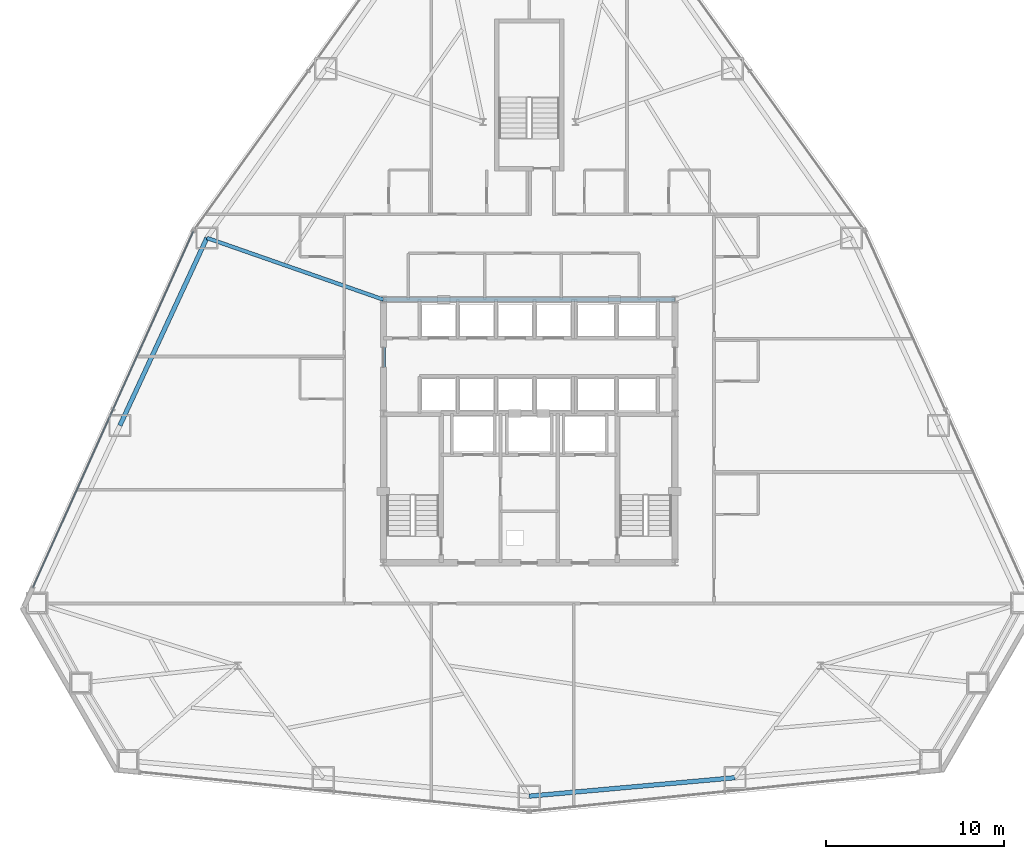
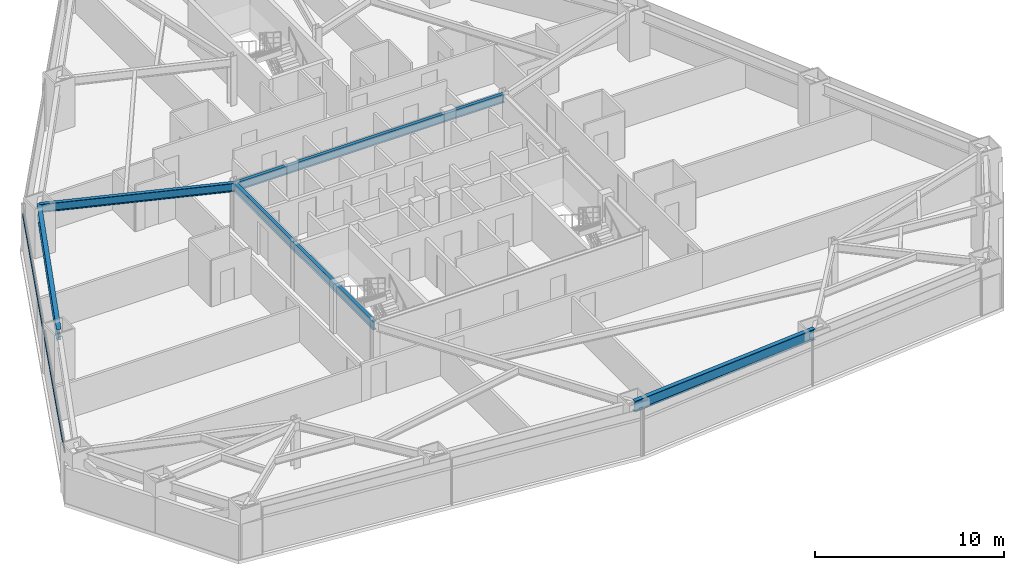
# One storey, part 5 of 12: 5 beams, 1 member, 1 element without a shape of its own.
"""IFC4 building model written with IfcOpenShell, lengths in metres."""

from ifc_helpers import new_model, si_unit, direction, frame, origin, origin_2d, place, context, subcontext, project, spatial, rectangle, i_section, extrude, source, transform, mapped, material, layer, layer_set, material_profile, profile_set, type_object, type_shapes, element, aggregate, save


model = new_model("IFC4")

# Units and contexts
model_context = context("Model", 3, precision=1e-05, world=origin(), true_north=direction((0.0, 1.0)))
body_context = subcontext(model_context, "Body", "Model", "MODEL_VIEW")
ifc_project = project(units=[si_unit("LENGTHUNIT", "METRE"), si_unit("AREAUNIT", "SQUARE_METRE"), si_unit("VOLUMEUNIT", "CUBIC_METRE"), si_unit("PLANEANGLEUNIT", "RADIAN"), si_unit("MASSUNIT", "GRAM", prefix="KILO")], contexts=[model_context])

# Site, building, storey
site_placement = place(None, origin())
site = spatial("IfcSite", under=ifc_project, at=site_placement, CompositionType="ELEMENT")
building_placement = place(site_placement, origin())
building = spatial("IfcBuilding", under=site, at=building_placement, Name="Varakhsha Concourse Tower", CompositionType="ELEMENT")
storey_placement = place(building_placement, frame((0.0, 0.0, 30.39990234375)))
storey = spatial("IfcBuildingStorey", under=building, at=storey_placement, Name="L07", CompositionType="ELEMENT", Elevation=30.39990234375)

# Beams
ifc_material_1 = material(Name="Structural Steel ASTM A992 Grade 50", Category="steel")
ifc_material_profile_1 = material_profile(ifc_material_1, i_section(OverallWidth=0.2109375, OverallDepth=0.5390625, WebThickness=0.011962890625, FlangeThickness=0.01904296875, at=origin_2d()), Name="W21X73")
ifc_profile_set_1 = profile_set([ifc_material_profile_1], Name="Structural Steel ASTM A992 Grade 50")
beam_type_1 = type_object("IfcBeamType", Name="BM-RAD-W21X73", PredefinedType="BEAM", material=ifc_profile_set_1)
beam_1_placement = place(storey_placement, frame((31.800048828125, 31.199951171875, 2.710693359375), z_axis=(1.0, 0.0, 0.0), x_axis=(0.0, 1.0, 0.0)))
element("IfcBeam", 1, at=beam_1_placement, inside=storey, type_object=beam_type_1, Name="BM-TCORE-L07-CN", PredefinedType="BEAM", context=body_context, shape_type="SweptSolid", body=[
    extrude(i_section(OverallWidth=0.2109375, OverallDepth=0.5390625, WebThickness=0.011962890625, FlangeThickness=0.01904296875, at=origin_2d()), origin(), (0.0, 0.0, 1.0), 16.39990234375),
])
beam_2_placement = place(storey_placement, frame((31.800048828125, 16.39990234375, 2.710693359375), z_axis=(0.0, 1.0, 0.0), x_axis=(-1.0, 0.0, 0.0)))
element("IfcBeam", 2, at=beam_2_placement, inside=storey, type_object=beam_type_1, Name="BM-TCORE-L07-CW", PredefinedType="BEAM", context=body_context, shape_type="SweptSolid", body=[
    extrude(i_section(OverallWidth=0.2109375, OverallDepth=0.5390625, WebThickness=0.011962890625, FlangeThickness=0.01904296875, at=origin_2d()), origin(), (0.0, 0.0, 1.0), 14.800048828125),
])
beam_3_placement = place(storey_placement, frame((31.800048828125, 31.199951171875, 2.710693359375), z_axis=(-0.944069395278, 0.329746837587, 0.0), x_axis=(-0.329746837587, -0.944069395278, 0.0)))
element("IfcBeam", 3, at=beam_3_placement, inside=storey, type_object=beam_type_1, Name="L07 Radial Floor Girder 05", PredefinedType="BEAM", context=body_context, shape_type="SweptSolid", body=[
    extrude(i_section(OverallWidth=0.2109375, OverallDepth=0.5390625, WebThickness=0.011962890625, FlangeThickness=0.01904296875, at=origin_2d()), origin(), (0.0, 0.0, 1.0), 10.523193359375),
])
ifc_material_profile_2 = material_profile(ifc_material_1, i_section(OverallWidth=0.25390625, OverallDepth=0.701904296875, WebThickness=0.014892578125, FlangeThickness=0.028076171875, at=origin_2d()), Name="W27X129")
ifc_profile_set_2 = profile_set([ifc_material_profile_2], Name="Structural Steel ASTM A992 Grade 50")
beam_type_2 = type_object("IfcBeamType", Name="BM-SPAN-W27X129", PredefinedType="SPANDREL", material=ifc_profile_set_2)
beam_4_placement = place(storey_placement, frame((21.865478515625, 34.669921875, 2.629150390625), z_axis=(-0.420598806974, -0.907246737978, 0.0), x_axis=(0.907246737978, -0.420598806974, 0.0)))
element("IfcBeam", 4, at=beam_4_placement, inside=storey, type_object=beam_type_2, Name="BM-SPAN-L07-05", PredefinedType="SPANDREL", context=body_context, shape_type="SweptSolid", body=[
    extrude(i_section(OverallWidth=0.25390625, OverallDepth=0.701904296875, WebThickness=0.014892578125, FlangeThickness=0.028076171875, at=origin_2d()), origin(), (0.0, 0.0, 1.0), 11.63232421875),
])
beam_5_placement = place(storey_placement, frame((40.0, 3.260009765625, 2.629150390625), z_axis=(0.995998835259, 0.089366213767, 0.0), x_axis=(-0.089366213767, 0.995998835259, 0.0)))
element("IfcBeam", 5, at=beam_5_placement, inside=storey, type_object=beam_type_2, Name="BM-SPAN-L07-11", PredefinedType="SPANDREL", context=body_context, shape_type="SweptSolid", body=[
    extrude(i_section(OverallWidth=0.25390625, OverallDepth=0.701904296875, WebThickness=0.014892578125, FlangeThickness=0.028076171875, at=origin_2d()), origin(), (0.0, 0.0, 1.0), 11.632568359375),
])

# Curtain wall, member
ifc_material_2 = material(Name="Anodised Bronze Architectural Aluminium AA 6063-T6", Category="aluminium")
ifc_layer = layer(ifc_material_2, 0.219970703125, Name="CW-SYS-02")
ifc_layer_set = layer_set([ifc_layer], Name="Anodised Bronze Architectural Aluminium AA 6063-T6")
curtain_wall_type = type_object("IfcCurtainWallType", Name="CW-SYS-02", PredefinedType="NOTDEFINED", material=ifc_layer_set)
curtain_wall_placement = place(storey_placement, origin())
curtain_wall = element("IfcCurtainWall", 6, at=curtain_wall_placement, inside=storey, type_object=curtain_wall_type, Name="L07 Crystal Curtain Wall F3", PredefinedType="NOTDEFINED")
ifc_material_profile_3 = material_profile(ifc_material_2, rectangle(XDim=0.06494140625, YDim=0.159912109375, at=origin_2d()), Name="CWT-160X65")
ifc_profile_set_3 = profile_set([ifc_material_profile_3], Name="Anodised Bronze Architectural Aluminium AA 6063-T6")
member_type = type_object("IfcMemberType", Name="CWT-160X65", PredefinedType="USERDEFINED", material=ifc_profile_set_3)
shared_shape = source(origin(), body_context, "Body", "SweptSolid", [
    extrude(rectangle(XDim=0.06494140625, YDim=0.159912109375, at=origin_2d()), origin(), (0.0, 0.0, 1.0), 21.966552734375),
])
type_shapes(member_type, [shared_shape])
member_placement = place(storey_placement, frame((12.080810546875, 15.0087890625, 2.330078125), z_axis=(0.410682136042, 0.911778582297, 0.0), x_axis=(-0.911778582297, 0.410682136042, 0.0)))
member = element("IfcMember", 7, at=member_placement, type_object=member_type, Name="CW-L07-F3 Transom 01", ObjectType="TRANSOM", PredefinedType="USERDEFINED", context=body_context, shape_type="MappedRepresentation", body=[
    mapped(shared_shape, transform((0.0, 0.0, 0.0), scale=1.0)),
])
aggregate(curtain_wall, [member])

save(model, "model.ifc")
